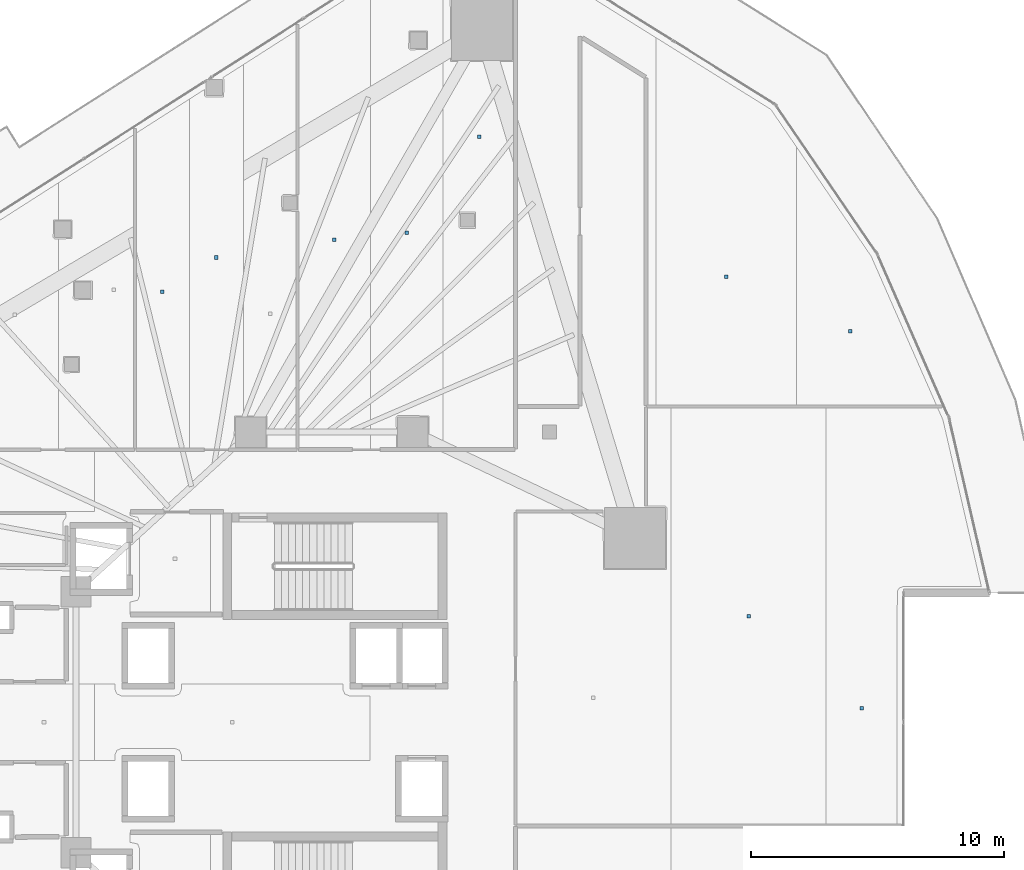
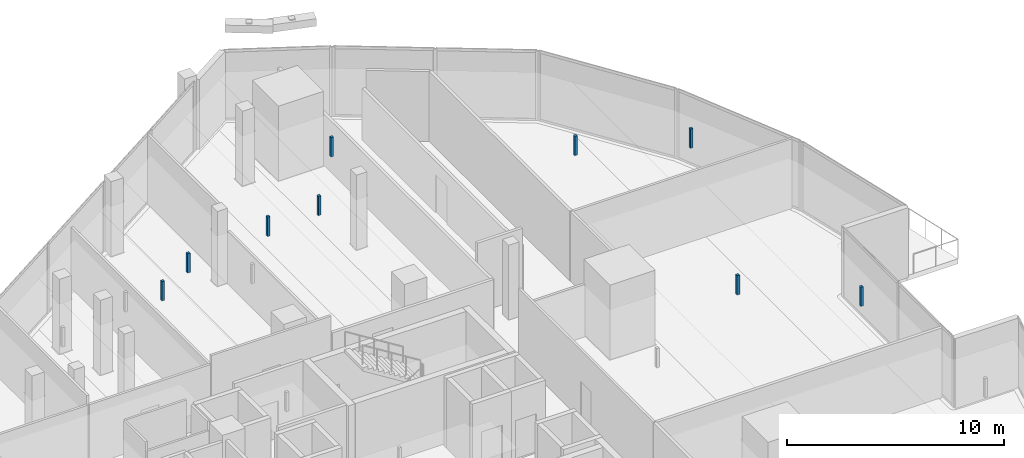
# One storey, part 35 of 45: 9 discrete accessories.
"""IFC4 building model written with IfcOpenShell, lengths in metres."""

from ifc_helpers import new_model, si_unit, direction, frame, origin, origin_2d, place, context, subcontext, project, spatial, rectangle, extrude, material, type_object, element, save


model = new_model("IFC4")

# Units and contexts
model_context = context("Model", 3, precision=1e-05, world=origin(), true_north=direction((0.0, 1.0)))
body_context = subcontext(model_context, "Body", "Model", "MODEL_VIEW")
ifc_project = project(units=[si_unit("LENGTHUNIT", "METRE"), si_unit("AREAUNIT", "SQUARE_METRE"), si_unit("VOLUMEUNIT", "CUBIC_METRE"), si_unit("PLANEANGLEUNIT", "RADIAN"), si_unit("MASSUNIT", "GRAM", prefix="KILO")], contexts=[model_context])

# Site, building, storey
site_placement = place(None, origin())
site = spatial("IfcSite", under=ifc_project, at=site_placement, CompositionType="ELEMENT")
building_placement = place(site_placement, origin())
building = spatial("IfcBuilding", under=site, at=building_placement, Name="Qorvath Tower", CompositionType="ELEMENT")
storey_placement = place(building_placement, frame((0.0, 0.0, 91.199951171875)))
storey = spatial("IfcBuildingStorey", under=building, at=storey_placement, Name="L20", CompositionType="ELEMENT", Elevation=91.199951171875)

# Discrete accessories
ifc_material = material(Name="Galvanised steel bracket", Category="steel")
discrete_accessory_type = type_object("IfcDiscreteAccessoryType", Name="DA-BRACKET", PredefinedType="BRACKET", material=ifc_material)
for number, where, z_axis, x_axis, name in (
    (1, (-27.09033203125, 16.999267578125, 2.85986328125), (0.0, 0.0, 1.0), (1.0, 0.0, 0.0), "Acoustic Ceiling Suspension Hanger T1-L20-012"),
    (2, (-24.9560546875, 18.345947265625, 2.85986328125), (0.0, 0.0, 1.0), (1.0, 0.0, 0.0), "Acoustic Ceiling Suspension Hanger T1-L20-013"),
    (3, (-20.306396484375, 19.051025390625, 2.85986328125), (0.0, 0.0, 1.0), (1.0, 0.0, 0.0), "Acoustic Ceiling Suspension Hanger T1-L20-015"),
    (4, (-17.44580078125, 19.3271484375, 2.85986328125), (0.0, 0.0, 1.0), (1.0, 0.0, 0.0), "Acoustic Ceiling Suspension Hanger T1-L20-016"),
    (5, (-14.585205078125, 23.11181640625, 2.85986328125), (0.0, 0.0, 1.0), (1.0, 0.0, 0.0), "Acoustic Ceiling Suspension Hanger T1-L20-017"),
    (6, (-3.943359375, 4.1845703125, 2.85986328125), (0.0, 0.0, 1.0), (1.0, 0.0, 0.0), "Acoustic Ceiling Suspension Hanger T1-L20-033"),
    (7, (0.52197265625, 0.5400390625, 2.85986328125), (0.0, 0.0, 1.0), (1.0, 0.0, 0.0), "Acoustic Ceiling Suspension Hanger T1-L20-034"),
    (8, (-4.822265625, 17.59423828125, 2.85986328125), (0.0, 0.0, 1.0), (1.0, 0.0, 0.0), "Acoustic Ceiling Suspension Hanger T1-L20-036"),
    (9, (0.072265625, 15.435546875, 2.85986328125), (0.0, 0.0, 1.0), (1.0, 0.0, 0.0), "Acoustic Ceiling Suspension Hanger T1-L20-037"),
):
    element("IfcDiscreteAccessory", number, at=place(storey_placement, frame(where, z_axis=z_axis, x_axis=x_axis)), inside=storey, type_object=discrete_accessory_type, Name=name, PredefinedType="NOTDEFINED", context=body_context, shape_type="SweptSolid", body=[
        extrude(rectangle(XDim=0.139892578125, YDim=0.139892578125, at=origin_2d()), origin(), (0.0, 0.0, 1.0), 1.090087890625),
    ])

save(model, "model.ifc")
